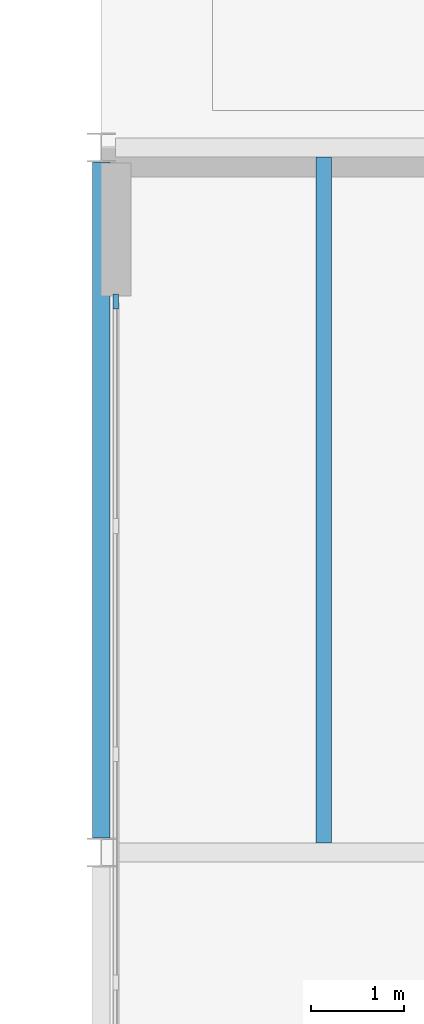
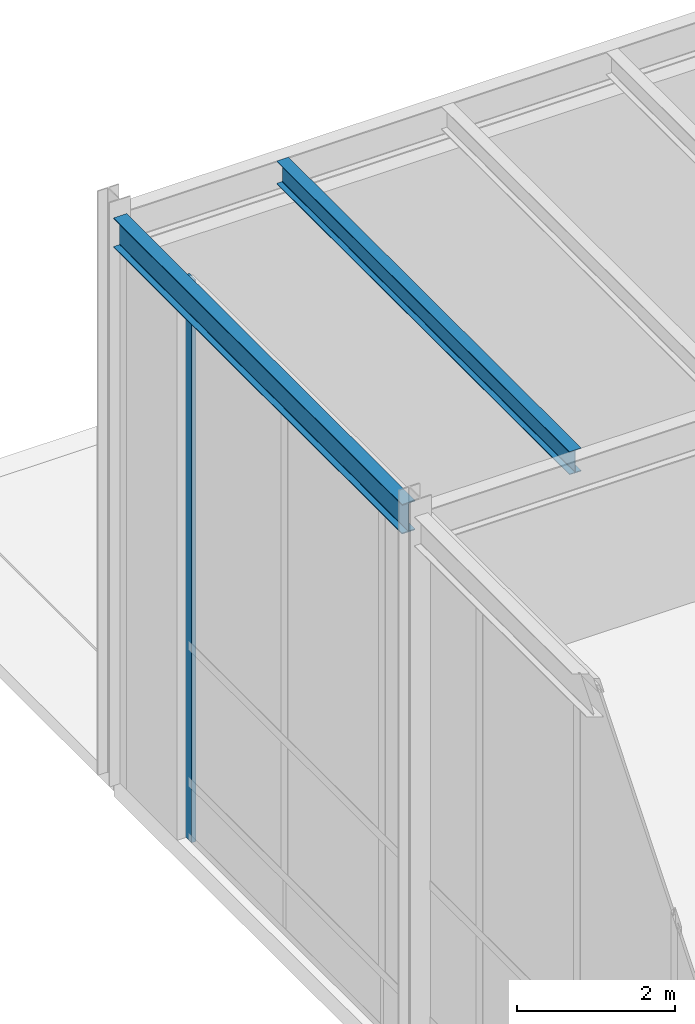
# One storey, part 12 of 48: 2 beams, 1 member, 1 element without a shape of its own.
"""IFC4 building model written with IfcOpenShell, lengths in metres."""

import ifcopenshell
import ifcopenshell.guid

model = None  # the IFC model being written
_history = None  # IfcOwnerHistory: only IFC2X3 demands one
_inside = {}  # id of a spatial element -> (the spatial element, [elements in it])
_under = {}  # id of a project, library or spatial element -> (it, [spatial elements below it])
_declared = {}  # id of a project -> (the project, [libraries it declares])
_typed = {}  # id of a type object -> (the type object, [elements of that type])
_made_of = {}  # id of a material, layer set ... -> (it, [elements and type objects made of it])


def new_model(schema):
    """Start an empty IFC model of exactly this schema.

    Asked for "IFC4X3", IfcOpenShell would pick the latest addendum, in which some entities
    have other attributes; the version numbers below select the first issue.
    IFC2X3 requires an IfcOwnerHistory on every rooted entity: one is made here for all.
    """
    global model, _history
    if schema == "IFC4X3":
        model = ifcopenshell.file(schema_version=(4, 3, 0, 0))
    else:
        model = ifcopenshell.file(schema=schema)
    _inside.clear()
    _under.clear()
    _declared.clear()
    _typed.clear()
    _made_of.clear()
    _history = None
    if model.schema == "IFC2X3":
        org = make("IfcOrganization", Name="unknown")
        user = make(
            "IfcPersonAndOrganization",
            ThePerson=make("IfcPerson", FamilyName="unknown"),
            TheOrganization=org,
        )
        app = make(
            "IfcApplication",
            ApplicationDeveloper=org,
            Version="unknown",
            ApplicationFullName="unknown",
            ApplicationIdentifier="unknown",
        )
        _history = make(
            "IfcOwnerHistory",
            OwningUser=user,
            OwningApplication=app,
            ChangeAction="ADDED",
            CreationDate=0,
        )
    return model


def make(cls, **values):
    """One entity of the class cls with the attributes given. An attribute that is None is left unset."""
    return model.create_entity(
        cls, **{name: value for name, value in values.items() if value is not None}
    )


def rooted(cls, **values):
    """An entity with a GlobalId (a new one), such as an element, a storey or a relation."""
    return make(cls, GlobalId=ifcopenshell.guid.new(), OwnerHistory=_history, **values)


def si_unit(unit_type, name, prefix=None):
    """IfcSIUnit, for example si_unit("LENGTHUNIT", "METRE", prefix="MILLI")."""
    return make("IfcSIUnit", UnitType=unit_type, Prefix=prefix, Name=name)


def assignment(units):
    """IfcUnitAssignment: the units of a project."""
    return None if units is None else make("IfcUnitAssignment", Units=units)


def point(xyz):
    """IfcCartesianPoint."""
    return None if xyz is None else make("IfcCartesianPoint", Coordinates=xyz)


def direction(xyz):
    """IfcDirection."""
    return None if xyz is None else make("IfcDirection", DirectionRatios=xyz)


def frame(location, z_axis=None, x_axis=None):
    """IfcAxis2Placement3D, a coordinate frame: its origin and axes. An axis left out is left unset."""
    return make(
        "IfcAxis2Placement3D",
        Location=point(location),
        Axis=direction(z_axis),
        RefDirection=direction(x_axis),
    )


def frame_2d(location, x_axis=None):
    """IfcAxis2Placement2D, a coordinate frame in the plane: its origin and x axis."""
    return make(
        "IfcAxis2Placement2D", Location=point(location), RefDirection=direction(x_axis)
    )


def origin():
    """The frame at (0, 0, 0) with its axes left unset."""
    return frame((0.0, 0.0, 0.0))


def origin_2d():
    """The frame at (0, 0) in the plane with its x axis left unset."""
    return frame_2d((0.0, 0.0))


def place(relative_to, where):
    """IfcLocalPlacement: puts the frame where relative to a parent placement (None: the world)."""
    return make(
        "IfcLocalPlacement", PlacementRelTo=relative_to, RelativePlacement=where
    )


def context(
    kind, dimensions, precision=None, world=None, true_north=None, identifier=None
):
    """IfcGeometricRepresentationContext, for example the 3D "Model" context."""
    return make(
        "IfcGeometricRepresentationContext",
        ContextIdentifier=identifier,
        ContextType=kind,
        CoordinateSpaceDimension=dimensions,
        Precision=precision,
        WorldCoordinateSystem=world,
        TrueNorth=true_north,
    )


def subcontext(parent, identifier, kind, view, scale=None):
    """IfcGeometricRepresentationSubContext, for example "Body" below "Model"."""
    return make(
        "IfcGeometricRepresentationSubContext",
        ContextIdentifier=identifier,
        ContextType=kind,
        ParentContext=parent,
        TargetScale=scale,
        TargetView=view,
    )


def project(units=None, contexts=None):
    """IfcProject with its units and contexts."""
    return rooted(
        "IfcProject",
        Name="project",
        RepresentationContexts=contexts,
        UnitsInContext=assignment(units),
    )


def spatial(cls, under=None, at=None, **own):
    """A site, building, storey or space (cls), placed at a placement, below another one or the project."""
    s = rooted(cls, ObjectPlacement=at, **own)
    if under is not None:
        _under.setdefault(under.id(), (under, []))[1].append(s)
    return s


def profile(cls, at=None, kind="AREA", **sizes):
    """A parametric profile (cls). Its sizes go by their IFC names, for example OverallWidth=200.0."""
    return make(cls, ProfileType=kind, Position=at, **sizes)


def rectangle(**sizes):
    """IfcRectangleProfileDef."""
    return profile("IfcRectangleProfileDef", **sizes)


def i_section(**sizes):
    """IfcIShapeProfileDef."""
    return profile("IfcIShapeProfileDef", **sizes)


def extrude(swept, where, along, depth):
    """IfcExtrudedAreaSolid: the profile swept, set in the frame where, extruded along a direction by depth."""
    return make(
        "IfcExtrudedAreaSolid",
        SweptArea=swept,
        Position=where,
        ExtrudedDirection=direction(along),
        Depth=depth,
    )


def shape(context_of_items, identifier, shape_type, items):
    """IfcShapeRepresentation: the items that make up one representation, for example the "Body"."""
    return make(
        "IfcShapeRepresentation",
        ContextOfItems=context_of_items,
        RepresentationIdentifier=identifier,
        RepresentationType=shape_type,
        Items=items,
    )


def material(Name=None, Category=None):
    """IfcMaterial."""
    return make("IfcMaterial", Name=Name, Category=Category)


def material_profile(
    of_material, cross_section, Name=None, Category=None, Priority=None
):
    """IfcMaterialProfile: a cross section and its material."""
    return make(
        "IfcMaterialProfile",
        Name=Name,
        Material=of_material,
        Profile=cross_section,
        Priority=Priority,
        Category=Category,
    )


def profile_set(profiles, Name=None, composite=None):
    """IfcMaterialProfileSet."""
    return make(
        "IfcMaterialProfileSet",
        Name=Name,
        MaterialProfiles=profiles,
        CompositeProfile=composite,
    )


def made_of(thing, what):
    """Note that an element or type object is made of a material, layer set ...; save() writes the relation."""
    if what is not None:
        _made_of.setdefault(what.id(), (what, []))[1].append(thing)
    return thing


def type_object(cls, material=None, **own):
    """A type object (cls), such as IfcWallType, which elements share."""
    return made_of(rooted(cls, **own), material)


def element(
    cls,
    number,
    at=None,
    inside=None,
    cuts=None,
    type_object=None,
    material=None,
    context=None,
    identifier="Body",
    shape_type=None,
    held_by="IfcProductDefinitionShape",
    body=None,
    shapes=None,
    **own,
):
    """One element of the class cls, such as IfcWall. Its Tag is "e" and its number.

    at: its placement. inside: the storey or other place that contains it. cuts: it is an
    opening in that element (IfcRelVoidsElement). A single representation is given by context,
    identifier, shape_type and body (its items); several are given by shapes. held_by: the class
    of the entity that holds the representations. save() writes the other relations.
    """
    e = rooted(cls, Tag="e%d" % number, ObjectPlacement=at, **own)
    if body is not None:
        shapes = [shape(context, identifier, shape_type, body)]
    if shapes is not None:
        e.Representation = make(held_by, Representations=shapes)
    if inside is not None:
        _inside.setdefault(inside.id(), (inside, []))[1].append(e)
    if cuts is not None:
        rooted(
            "IfcRelVoidsElement", RelatingBuildingElement=cuts, RelatedOpeningElement=e
        )
    if type_object is not None:
        _typed.setdefault(type_object.id(), (type_object, []))[1].append(e)
    return made_of(e, material)


def aggregate(whole, parts):
    """IfcRelAggregates: a whole, such as a stair, and the parts it consists of."""
    return rooted("IfcRelAggregates", RelatingObject=whole, RelatedObjects=parts)


def save(model, path):
    """Write the relations noted so far, then the file.

    IfcRelAggregates (storeys below a building ...), IfcRelContainedInSpatialStructure (elements
    in a storey), IfcRelDefinesByType, IfcRelAssociatesMaterial and IfcRelDeclares: one each for
    every whole, place, type object, material and project.
    """
    for whole, parts in _under.values():
        aggregate(whole, parts)
    for where, things in _inside.values():
        rooted(
            "IfcRelContainedInSpatialStructure",
            RelatedElements=things,
            RelatingStructure=where,
        )
    for kind, things in _typed.values():
        rooted("IfcRelDefinesByType", RelatedObjects=things, RelatingType=kind)
    for what, things in _made_of.values():
        rooted("IfcRelAssociatesMaterial", RelatedObjects=things, RelatingMaterial=what)
    for by, libraries in _declared.values():
        rooted("IfcRelDeclares", RelatingContext=by, RelatedDefinitions=libraries)
    model.write(path)


model = new_model("IFC4")

# Units and contexts
model_context = context("Model", 3, precision=1e-05, world=origin(), true_north=direction((0.0, 1.0)))
body_context = subcontext(model_context, "Body", "Model", "MODEL_VIEW")
ifc_project = project(units=[si_unit("LENGTHUNIT", "METRE"), si_unit("AREAUNIT", "SQUARE_METRE"), si_unit("VOLUMEUNIT", "CUBIC_METRE"), si_unit("PLANEANGLEUNIT", "RADIAN"), si_unit("MASSUNIT", "GRAM", prefix="KILO")], contexts=[model_context])

# Site, building, storey
site_placement = place(None, origin())
site = spatial("IfcSite", under=ifc_project, at=site_placement, CompositionType="ELEMENT")
building_placement = place(site_placement, origin())
building = spatial("IfcBuilding", under=site, at=building_placement, Name="Sarnbrook Museum", CompositionType="ELEMENT")
storey_placement = place(building_placement, frame((0.0, 0.0, 19.10009765625)))
storey = spatial("IfcBuildingStorey", under=building, at=storey_placement, Name="L04", CompositionType="ELEMENT", Elevation=19.10009765625)

# Beam
ifc_material_1 = material(Name="Structural Steel Grade 300PLUS (AS/NZS 3679.1, fy = 280 MPa for 17 < t <= 40 mm, 300 MPa for t <= 17 mm)", Category="steel")
ifc_material_profile_1 = material_profile(ifc_material_1, i_section(OverallWidth=0.18994140625, OverallDepth=0.45703125, WebThickness=0.009033203125, FlangeThickness=0.014404296875, FilletRadius=0.011474609375, at=origin_2d()), Name="460UB74.6")
ifc_profile_set_1 = profile_set([ifc_material_profile_1], Name="Structural Steel Grade 300PLUS (AS/NZS 3679.1, fy = 280 MPa for 17 < t <= 40 mm, 300 MPa for t <= 17 mm)")
beam_type_1 = type_object("IfcBeamType", Name="BM-UB460", PredefinedType="BEAM", material=ifc_profile_set_1)
beam_1_placement = place(storey_placement, frame((42.39990234375, 100.95751953125, 8.521484375), z_axis=(0.0, 1.0, 0.0), x_axis=(-1.0, 0.0, 0.0)))
element("IfcBeam", 1, at=beam_1_placement, inside=storey, type_object=beam_type_1, Name="Girder 5:M-N L04", PredefinedType="BEAM", context=body_context, shape_type="SweptSolid", body=[
    extrude(i_section(OverallWidth=0.18994140625, OverallDepth=0.45703125, WebThickness=0.009033203125, FlangeThickness=0.014404296875, FilletRadius=0.011474609375, at=origin_2d()), origin(), (0.0, 0.0, 1.0), 7.284912109375),
])

# Curtain wall, member
ifc_material_2 = material(Name="Thermally Broken Anodised Aluminium 6063-T6", Category="aluminium")
curtain_wall_type = type_object("IfcCurtainWallType", Name="CurtainWall_GalleryRibbon", PredefinedType="NOTDEFINED", material=ifc_material_2)
curtain_wall_placement = place(storey_placement, origin())
curtain_wall = element("IfcCurtainWall", 2, at=curtain_wall_placement, inside=storey, type_object=curtain_wall_type, Name="Gallery Ribbon Curtain Wall L04-2.1", PredefinedType="NOTDEFINED")
ifc_material_profile_2 = material_profile(ifc_material_2, rectangle(XDim=0.06005859375, YDim=0.159912109375, at=origin_2d()), Name="ALU MULLION 60x160")
ifc_profile_set_2 = profile_set([ifc_material_profile_2], Name="Thermally Broken Anodised Aluminium 6063-T6")
member_type = type_object("IfcMemberType", Name="CW_Mullion_150x65", PredefinedType="MULLION", material=ifc_profile_set_2)
member_placement = place(storey_placement, frame((42.56005859375, 106.739990234375, 0.0), z_axis=(0.0, 0.0, 1.0), x_axis=(1.0, 0.0, 0.0)))
member = element("IfcMember", 3, at=member_placement, type_object=member_type, Name="Gallery Ribbon Curtain Wall L04-2.1 Mullion 1", PredefinedType="MULLION", context=body_context, shape_type="SweptSolid", body=[
    extrude(rectangle(XDim=0.06005859375, YDim=0.159912109375, at=origin_2d()), origin(), (0.0, 0.0, 1.0), 8.659912109375),
])
aggregate(curtain_wall, [member])

# Beam
ifc_material_profile_3 = material_profile(ifc_material_1, i_section(OverallWidth=0.1708984375, OverallDepth=0.35595703125, WebThickness=0.00732421875, FlangeThickness=0.011474609375, FilletRadius=0.011474609375, at=origin_2d()), Name="360UB50.7")
ifc_profile_set_3 = profile_set([ifc_material_profile_3], Name="Structural Steel Grade 300PLUS (AS/NZS 3679.1, fy = 280 MPa for 17 < t <= 40 mm, 300 MPa for t <= 17 mm)")
beam_type_2 = type_object("IfcBeamType", Name="JS-UB360", PredefinedType="JOIST", material=ifc_profile_set_3)
beam_2_placement = place(storey_placement, frame((44.800048828125, 100.904541015625, 8.572021484375), z_axis=(0.0, 1.0, 0.0), x_axis=(-1.0, 0.0, 0.0)))
element("IfcBeam", 4, at=beam_2_placement, inside=storey, type_object=beam_type_2, Name="Composite Floor Joist 5M-1 L04", PredefinedType="JOIST", context=body_context, shape_type="SweptSolid", body=[
    extrude(i_section(OverallWidth=0.1708984375, OverallDepth=0.35595703125, WebThickness=0.00732421875, FlangeThickness=0.011474609375, FilletRadius=0.011474609375, at=origin_2d()), origin(), (0.0, 0.0, 1.0), 7.390869140625),
])

save(model, "model.ifc")
